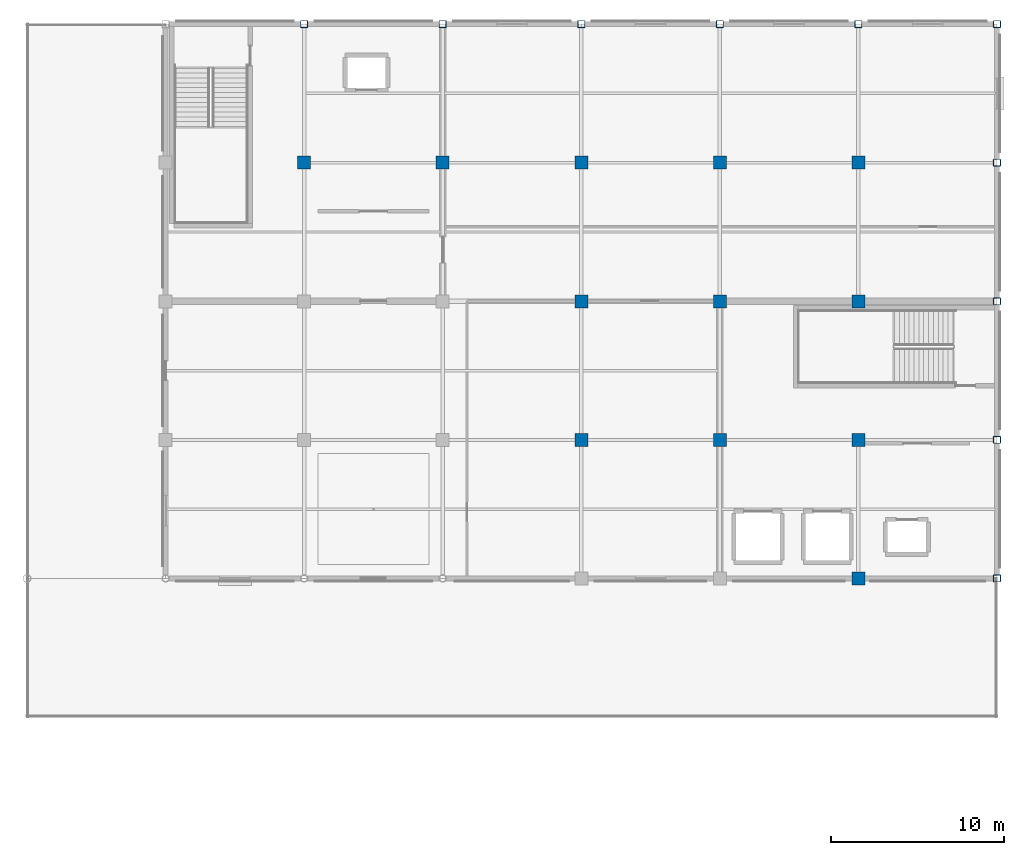
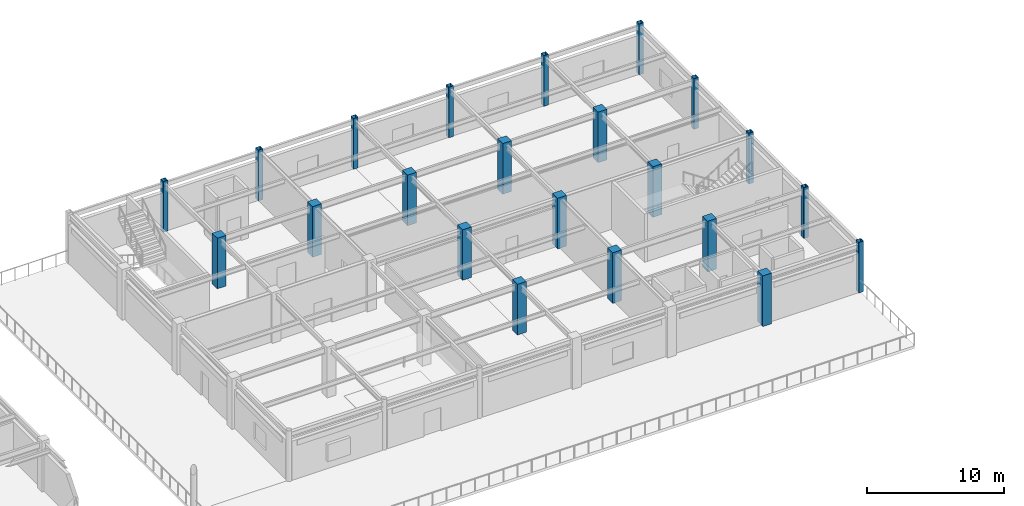
# One storey, part 14 of 75: 22 columns.
"""IFC4 building model written with IfcOpenShell, lengths in metres."""

from ifc_helpers import new_model, si_unit, direction, frame, origin, origin_2d, place, context, subcontext, project, spatial, rectangle, hollow_rectangle, extrude, material, material_profile, profile_set, type_object, element, save


model = new_model("IFC4")

# Units and contexts
model_context = context("Model", 3, precision=1e-05, world=origin(), true_north=direction((0.0, 1.0)))
body_context = subcontext(model_context, "Body", "Model", "MODEL_VIEW")
ifc_project = project(units=[si_unit("LENGTHUNIT", "METRE"), si_unit("AREAUNIT", "SQUARE_METRE"), si_unit("VOLUMEUNIT", "CUBIC_METRE"), si_unit("PLANEANGLEUNIT", "RADIAN"), si_unit("MASSUNIT", "GRAM", prefix="KILO")], contexts=[model_context])

# Site, building, storey
site_placement = place(None, origin())
site = spatial("IfcSite", under=ifc_project, at=site_placement, CompositionType="ELEMENT")
building_placement = place(site_placement, origin())
building = spatial("IfcBuilding", under=site, at=building_placement, Name="Solmirada Galleria", CompositionType="ELEMENT")
storey_placement = place(building_placement, frame((0.0, 0.0, 19.39990234375)))
storey = spatial("IfcBuildingStorey", under=building, at=storey_placement, Name="L04", CompositionType="ELEMENT", Elevation=19.39990234375)

# Columns
ifc_material_1 = material(Name="Steel S355 / ASTM A500 Grade C", Category="steel")
ifc_material_profile_1 = material_profile(ifc_material_1, hollow_rectangle(XDim=0.406005859375, YDim=0.406005859375, WallThickness=0.0146484375, InnerFilletRadius=0.0146484375, OuterFilletRadius=0.029296875, at=origin_2d()), Name="HSS16X16X5/8")
ifc_profile_set_1 = profile_set([ifc_material_profile_1], Name="Steel S355 / ASTM A500 Grade C")
column_type_1 = type_object("IfcColumnType", Name="COL-HSS16", PredefinedType="COLUMN", material=ifc_profile_set_1)
for number, where, z_axis, x_axis, name in (
    (1, (136.0, 120.0, 0.0), (0.0, 0.0, 1.0), (1.0, 0.0, 0.0), "Structural column L04-1201"),
    (2, (144.0, 120.0, 0.0), (0.0, 0.0, 1.0), (1.0, 0.0, 0.0), "Structural column L04-1287"),
    (3, (152.0, 120.0, 0.0), (0.0, 0.0, 1.0), (1.0, 0.0, 0.0), "Structural column L04-1360"),
    (4, (160.0, 120.0, 0.0), (0.0, 0.0, 1.0), (1.0, 0.0, 0.0), "Structural column L04-1433"),
    (5, (168.0, 120.0, 0.0), (0.0, 0.0, 1.0), (1.0, 0.0, 0.0), "Structural column L04-1506"),
    (6, (176.0, 88.0, 0.0), (0.0, 0.0, 1.0), (1.0, 0.0, 0.0), "Structural column L04-1543"),
    (7, (176.0, 96.0, 0.0), (0.0, 0.0, 1.0), (1.0, 0.0, 0.0), "Structural column L04-1552"),
    (8, (176.0, 104.0, 0.0), (0.0, 0.0, 1.0), (1.0, 0.0, 0.0), "Structural column L04-1561"),
    (9, (176.0, 112.0, 0.0), (0.0, 0.0, 1.0), (1.0, 0.0, 0.0), "Structural column L04-1570"),
    (10, (176.0, 120.0, 0.0), (0.0, 0.0, 1.0), (1.0, 0.0, 0.0), "Structural column L04-1579"),
):
    element("IfcColumn", number, at=place(storey_placement, frame(where, z_axis=z_axis, x_axis=x_axis)), inside=storey, type_object=column_type_1, Name=name, PredefinedType="COLUMN", context=body_context, shape_type="SweptSolid", body=[
        extrude(hollow_rectangle(XDim=0.406005859375, YDim=0.406005859375, WallThickness=0.0146484375, InnerFilletRadius=0.0146484375, OuterFilletRadius=0.029296875, at=origin_2d()), origin(), (0.0, 0.0, 1.0), 4.5),
    ])
ifc_material_2 = material(Name="Concrete C40/50", Category="concrete")
ifc_material_profile_2 = material_profile(ifc_material_2, rectangle(XDim=0.75, YDim=0.75, at=origin_2d()), Name="RC750X750")
ifc_profile_set_2 = profile_set([ifc_material_profile_2], Name="Concrete C40/50")
column_type_2 = type_object("IfcColumnType", Name="COL-RC750", PredefinedType="COLUMN", material=ifc_profile_set_2)
for number, where, z_axis, x_axis, name in (
    (11, (136.0, 112.0, 0.0), (0.0, 0.0, 1.0), (1.0, 0.0, 0.0), "Structural column L04-1192"),
    (12, (144.0, 112.0, 0.0), (0.0, 0.0, 1.0), (1.0, 0.0, 0.0), "Structural column L04-1278"),
    (13, (152.0, 96.0, 0.0), (0.0, 0.0, 1.0), (1.0, 0.0, 0.0), "Structural column L04-1333"),
    (14, (152.0, 104.0, 0.0), (0.0, 0.0, 1.0), (1.0, 0.0, 0.0), "Structural column L04-1342"),
    (15, (152.0, 112.0, 0.0), (0.0, 0.0, 1.0), (1.0, 0.0, 0.0), "Structural column L04-1351"),
    (16, (160.0, 96.0, 0.0), (0.0, 0.0, 1.0), (1.0, 0.0, 0.0), "Structural column L04-1406"),
    (17, (160.0, 104.0, 0.0), (0.0, 0.0, 1.0), (1.0, 0.0, 0.0), "Structural column L04-1415"),
    (18, (160.0, 112.0, 0.0), (0.0, 0.0, 1.0), (1.0, 0.0, 0.0), "Structural column L04-1424"),
    (19, (168.0, 88.0, 0.0), (0.0, 0.0, 1.0), (1.0, 0.0, 0.0), "Structural column L04-1470"),
    (20, (168.0, 96.0, 0.0), (0.0, 0.0, 1.0), (1.0, 0.0, 0.0), "Structural column L04-1479"),
    (21, (168.0, 104.0, 0.0), (0.0, 0.0, 1.0), (1.0, 0.0, 0.0), "Structural column L04-1488"),
    (22, (168.0, 112.0, 0.0), (0.0, 0.0, 1.0), (1.0, 0.0, 0.0), "Structural column L04-1497"),
):
    element("IfcColumn", number, at=place(storey_placement, frame(where, z_axis=z_axis, x_axis=x_axis)), inside=storey, type_object=column_type_2, Name=name, PredefinedType="COLUMN", context=body_context, shape_type="SweptSolid", body=[
        extrude(rectangle(XDim=0.75, YDim=0.75, at=origin_2d()), origin(), (0.0, 0.0, 1.0), 4.5),
    ])

save(model, "model.ifc")
